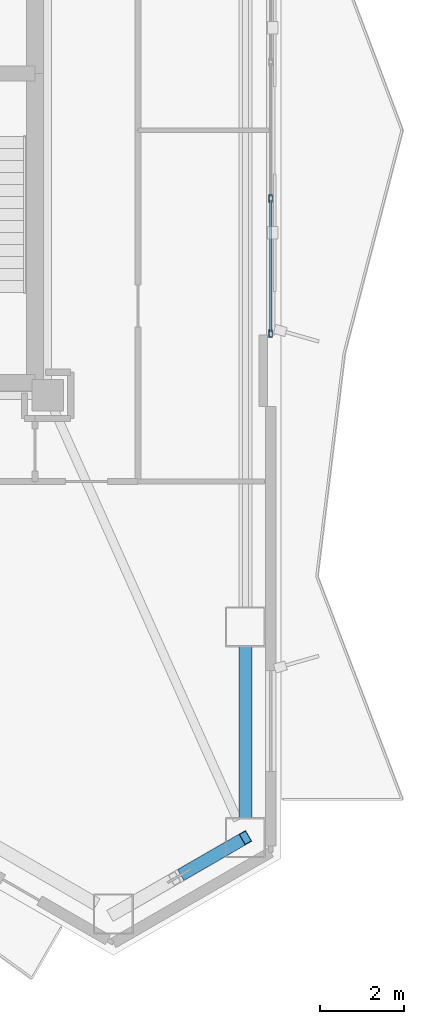
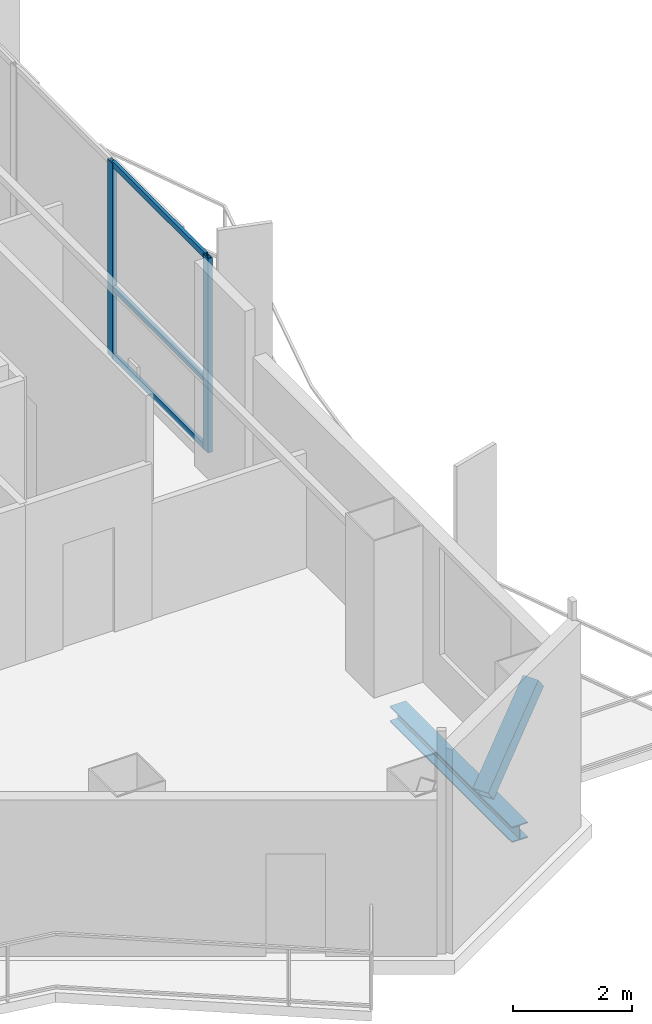
# One storey, part 9 of 18: 6 members, 1 beam, 1 element without a shape of its own.
"""IFC4 building model written with IfcOpenShell, lengths in metres."""

from ifc_helpers import new_model, si_unit, direction, frame, origin, origin_2d, place, context, subcontext, project, spatial, hollow_rectangle, i_section, extrude, material, layer, layer_set, material_profile, profile_set, type_object, element, aggregate, save


model = new_model("IFC4")

# Units and contexts
model_context = context("Model", 3, precision=1e-05, world=origin(), true_north=direction((0.0, 1.0)))
body_context = subcontext(model_context, "Body", "Model", "MODEL_VIEW")
ifc_project = project(units=[si_unit("LENGTHUNIT", "METRE"), si_unit("AREAUNIT", "SQUARE_METRE"), si_unit("VOLUMEUNIT", "CUBIC_METRE"), si_unit("PLANEANGLEUNIT", "RADIAN"), si_unit("MASSUNIT", "GRAM", prefix="KILO")], contexts=[model_context])

# Site, building, storey
site_placement = place(None, origin())
site = spatial("IfcSite", under=ifc_project, at=site_placement, CompositionType="ELEMENT")
building_placement = place(site_placement, origin())
building = spatial("IfcBuilding", under=site, at=building_placement, Name="Mersakhor Tower and Convention Hall", CompositionType="ELEMENT")
storey_placement = place(building_placement, frame((0.0, 0.0, 170.699951171875)))
storey = spatial("IfcBuildingStorey", under=building, at=storey_placement, Name="L47", CompositionType="ELEMENT", Elevation=170.699951171875)

# Beam
ifc_material_1 = material(Name="Steel S355", Category="steel")
ifc_material_profile_1 = material_profile(ifc_material_1, i_section(OverallWidth=0.30908203125, OverallDepth=0.320556640625, WebThickness=0.013916015625, FlangeThickness=0.021728515625, at=origin_2d()), Name="UC 305x305x137")
ifc_profile_set_1 = profile_set([ifc_material_profile_1], Name="Steel S355")
beam_type = type_object("IfcBeamType", Name="BM-SPD-UC305", PredefinedType="SPANDREL", material=ifc_profile_set_1)
beam_placement = place(storey_placement, frame((40.8037109375, 14.4892578125, -0.440185546875), z_axis=(0.0, -1.0, 0.0), x_axis=(1.0, 0.0, 0.0)))
element("IfcBeam", 1, at=beam_placement, inside=storey, type_object=beam_type, Name="L47 Perimeter Spandrel Beam SPB-07", PredefinedType="SPANDREL", context=body_context, shape_type="SweptSolid", body=[
    extrude(i_section(OverallWidth=0.30908203125, OverallDepth=0.320556640625, WebThickness=0.013916015625, FlangeThickness=0.021728515625, at=origin_2d()), origin(), (0.0, 0.0, 1.0), 4.1015625),
])

# Curtain wall, members
ifc_material_2 = material(Name="Dark solar low-E aluminium curtain wall", Category="aluminium")
ifc_layer = layer(ifc_material_2, 0.199951171875)
ifc_layer_set = layer_set([ifc_layer], Name="Dark solar low-E aluminium curtain wall")
curtain_wall_type = type_object("IfcCurtainWallType", Name="CW-SYS-05", PredefinedType="USERDEFINED", material=ifc_layer_set)
curtain_wall_placement = place(storey_placement, origin())
curtain_wall = element("IfcCurtainWall", 2, at=curtain_wall_placement, inside=storey, type_object=curtain_wall_type, Name="L47 Dark-Glass Curtain Wall F2-B2", ObjectType="CURTAIN WALL", PredefinedType="USERDEFINED")
ifc_material_3 = material(Name="Anodised aluminium EN AW-6063 T6", Category="aluminium")
ifc_material_profile_2 = material_profile(ifc_material_3, hollow_rectangle(XDim=0.080078125, YDim=0.179931640625, WallThickness=0.008056640625, at=origin_2d()), Name="RHS 180x80x8")
ifc_profile_set_2 = profile_set([ifc_material_profile_2], Name="Anodised aluminium EN AW-6063 T6")
member_type_1 = type_object("IfcMemberType", Name="CWM-180x80", PredefinedType="MULLION", material=ifc_profile_set_2)
member_1_placement = place(storey_placement, frame((41.40380859375, 25.126220703125, 0.199951171875), z_axis=(0.0, 0.0, 1.0), x_axis=(1.0, 0.0, 0.0)))
member_1 = element("IfcMember", 3, at=member_1_placement, type_object=member_type_1, Name="CW-05 mullion 3", PredefinedType="MULLION", context=body_context, shape_type="SweptSolid", body=[
    extrude(hollow_rectangle(XDim=0.080078125, YDim=0.179931640625, WallThickness=0.008056640625, at=origin_2d()), origin(), (0.0, 0.0, 1.0), 3.989990234375),
])
member_2_placement = place(storey_placement, frame((41.40380859375, 21.918701171875, 0.199951171875), z_axis=(0.0, 0.0, 1.0), x_axis=(1.0, 0.0, 0.0)))
member_2 = element("IfcMember", 4, at=member_2_placement, type_object=member_type_1, Name="CW-05 mullion 4", PredefinedType="MULLION", context=body_context, shape_type="SweptSolid", body=[
    extrude(hollow_rectangle(XDim=0.080078125, YDim=0.179931640625, WallThickness=0.008056640625, at=origin_2d()), origin(), (0.0, 0.0, 1.0), 3.989990234375),
])
ifc_material_4 = material(Name="Anodised aluminium EN AW-6063 T6", Category="aluminium")
ifc_material_profile_3 = material_profile(ifc_material_4, hollow_rectangle(XDim=0.06005859375, YDim=0.1201171875, WallThickness=0.0048828125, at=origin_2d()), Name="RHS 120x60x5")
ifc_profile_set_3 = profile_set([ifc_material_profile_3], Name="Anodised aluminium EN AW-6063 T6")
member_type_2 = type_object("IfcMemberType", Name="CWT-120x60", PredefinedType="USERDEFINED", material=ifc_profile_set_3)
member_3_placement = place(storey_placement, frame((41.40380859375, 25.086181640625, 0.22998046875), z_axis=(0.0, -1.0, 0.0), x_axis=(1.0, 0.0, 0.0)))
member_3 = element("IfcMember", 5, at=member_3_placement, type_object=member_type_2, Name="CW-05 transom 3.1", ObjectType="TRANSOM", PredefinedType="USERDEFINED", context=body_context, shape_type="SweptSolid", body=[
    extrude(hollow_rectangle(XDim=0.06005859375, YDim=0.1201171875, WallThickness=0.0048828125, at=origin_2d()), origin(), (0.0, 0.0, 1.0), 3.12744140625),
])
member_4_placement = place(storey_placement, frame((41.40380859375, 25.086181640625, 1.6201171875), z_axis=(0.0, -1.0, 0.0), x_axis=(1.0, 0.0, 0.0)))
member_4 = element("IfcMember", 6, at=member_4_placement, type_object=member_type_2, Name="CW-05 transom 3.2", ObjectType="TRANSOM", PredefinedType="USERDEFINED", context=body_context, shape_type="SweptSolid", body=[
    extrude(hollow_rectangle(XDim=0.06005859375, YDim=0.1201171875, WallThickness=0.0048828125, at=origin_2d()), origin(), (0.0, 0.0, 1.0), 3.12744140625),
])
member_5_placement = place(storey_placement, frame((41.40380859375, 25.086181640625, 4.16015625), z_axis=(0.0, -1.0, 0.0), x_axis=(1.0, 0.0, 0.0)))
member_5 = element("IfcMember", 7, at=member_5_placement, type_object=member_type_2, Name="CW-05 transom 3.3", ObjectType="TRANSOM", PredefinedType="USERDEFINED", context=body_context, shape_type="SweptSolid", body=[
    extrude(hollow_rectangle(XDim=0.06005859375, YDim=0.1201171875, WallThickness=0.0048828125, at=origin_2d()), origin(), (0.0, 0.0, 1.0), 3.12744140625),
])
aggregate(curtain_wall, [member_1, member_2, member_3, member_4, member_5])

# Member
ifc_material_5 = material(Name="Steel S355", Category="steel")
ifc_material_profile_4 = material_profile(ifc_material_5, hollow_rectangle(XDim=0.300048828125, YDim=0.300048828125, WallThickness=0.01611328125, at=origin_2d()), Name="SHS 300x300x16")
ifc_profile_set_4 = profile_set([ifc_material_profile_4], Name="Steel S355")
member_type_3 = type_object("IfcMemberType", Name="MB-BRC-SHS300", PredefinedType="BRACE", material=ifc_profile_set_4)
member_6_placement = place(storey_placement, frame((39.3447265625, 9.09033203125, 1.649658203125), z_axis=(0.685578327601, 0.395790701175, 0.611009065061), x_axis=(-0.499973348067, 0.866040790738, 0.0)))
element("IfcMember", 8, at=member_6_placement, inside=storey, type_object=member_type_3, Name="L47 Chamfer Braced Frame Diagonal CB-2B Upper Half", PredefinedType="BRACE", context=body_context, shape_type="SweptSolid", body=[
    extrude(hollow_rectangle(XDim=0.300048828125, YDim=0.300048828125, WallThickness=0.01611328125, at=origin_2d()), origin(), (0.0, 0.0, 1.0), 2.128173828125),
])

save(model, "model.ifc")
